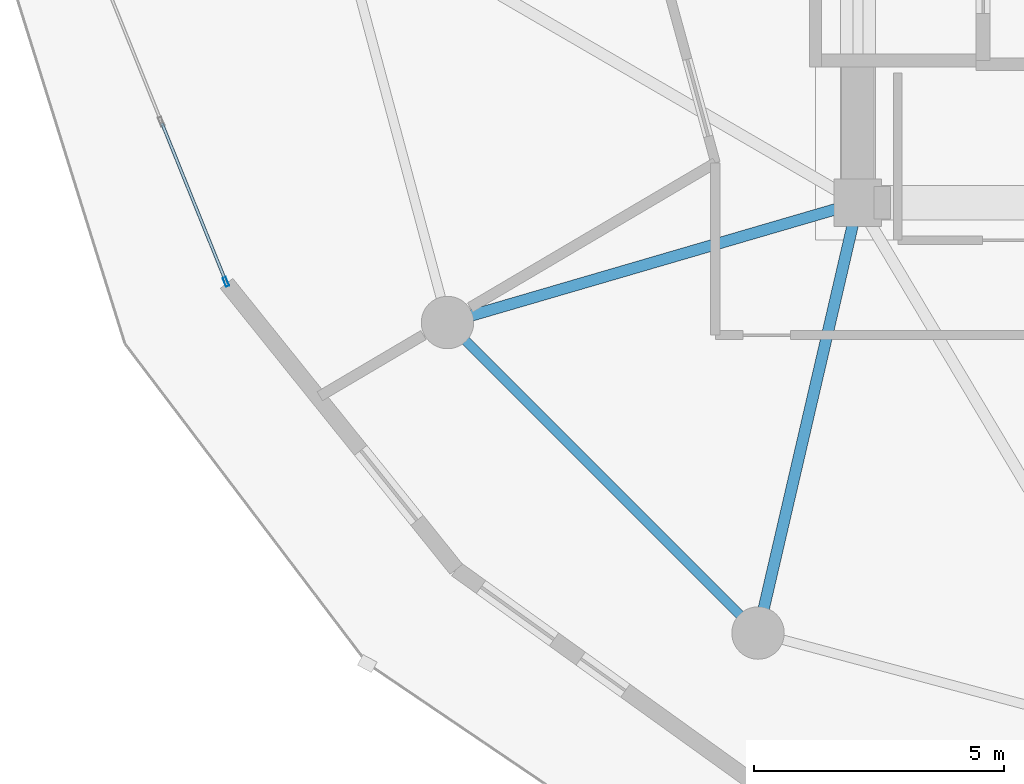
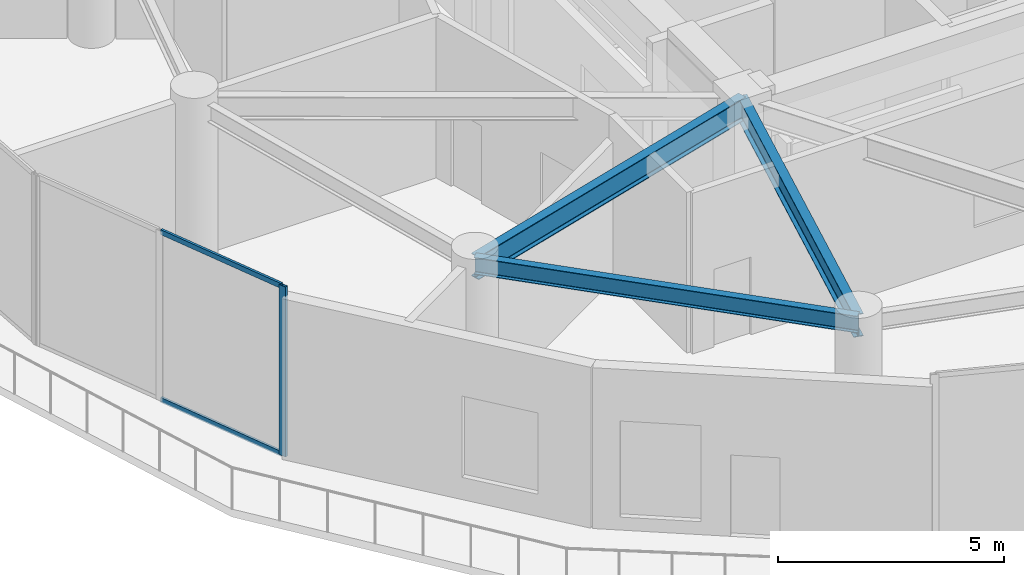
# One storey, part 3 of 28: 3 beams, 3 members, 1 element without a shape of its own.
"""IFC4 building model written with IfcOpenShell, lengths in metres."""

import ifcopenshell
import ifcopenshell.guid

model = None  # the IFC model being written
_history = None  # IfcOwnerHistory: only IFC2X3 demands one
_inside = {}  # id of a spatial element -> (the spatial element, [elements in it])
_under = {}  # id of a project, library or spatial element -> (it, [spatial elements below it])
_declared = {}  # id of a project -> (the project, [libraries it declares])
_typed = {}  # id of a type object -> (the type object, [elements of that type])
_made_of = {}  # id of a material, layer set ... -> (it, [elements and type objects made of it])


def new_model(schema):
    """Start an empty IFC model of exactly this schema.

    Asked for "IFC4X3", IfcOpenShell would pick the latest addendum, in which some entities
    have other attributes; the version numbers below select the first issue.
    IFC2X3 requires an IfcOwnerHistory on every rooted entity: one is made here for all.
    """
    global model, _history
    if schema == "IFC4X3":
        model = ifcopenshell.file(schema_version=(4, 3, 0, 0))
    else:
        model = ifcopenshell.file(schema=schema)
    _inside.clear()
    _under.clear()
    _declared.clear()
    _typed.clear()
    _made_of.clear()
    _history = None
    if model.schema == "IFC2X3":
        org = make("IfcOrganization", Name="unknown")
        user = make(
            "IfcPersonAndOrganization",
            ThePerson=make("IfcPerson", FamilyName="unknown"),
            TheOrganization=org,
        )
        app = make(
            "IfcApplication",
            ApplicationDeveloper=org,
            Version="unknown",
            ApplicationFullName="unknown",
            ApplicationIdentifier="unknown",
        )
        _history = make(
            "IfcOwnerHistory",
            OwningUser=user,
            OwningApplication=app,
            ChangeAction="ADDED",
            CreationDate=0,
        )
    return model


def make(cls, **values):
    """One entity of the class cls with the attributes given. An attribute that is None is left unset."""
    return model.create_entity(
        cls, **{name: value for name, value in values.items() if value is not None}
    )


def rooted(cls, **values):
    """An entity with a GlobalId (a new one), such as an element, a storey or a relation."""
    return make(cls, GlobalId=ifcopenshell.guid.new(), OwnerHistory=_history, **values)


def si_unit(unit_type, name, prefix=None):
    """IfcSIUnit, for example si_unit("LENGTHUNIT", "METRE", prefix="MILLI")."""
    return make("IfcSIUnit", UnitType=unit_type, Prefix=prefix, Name=name)


def assignment(units):
    """IfcUnitAssignment: the units of a project."""
    return None if units is None else make("IfcUnitAssignment", Units=units)


def point(xyz):
    """IfcCartesianPoint."""
    return None if xyz is None else make("IfcCartesianPoint", Coordinates=xyz)


def direction(xyz):
    """IfcDirection."""
    return None if xyz is None else make("IfcDirection", DirectionRatios=xyz)


def frame(location, z_axis=None, x_axis=None):
    """IfcAxis2Placement3D, a coordinate frame: its origin and axes. An axis left out is left unset."""
    return make(
        "IfcAxis2Placement3D",
        Location=point(location),
        Axis=direction(z_axis),
        RefDirection=direction(x_axis),
    )


def frame_2d(location, x_axis=None):
    """IfcAxis2Placement2D, a coordinate frame in the plane: its origin and x axis."""
    return make(
        "IfcAxis2Placement2D", Location=point(location), RefDirection=direction(x_axis)
    )


def origin():
    """The frame at (0, 0, 0) with its axes left unset."""
    return frame((0.0, 0.0, 0.0))


def origin_2d():
    """The frame at (0, 0) in the plane with its x axis left unset."""
    return frame_2d((0.0, 0.0))


def place(relative_to, where):
    """IfcLocalPlacement: puts the frame where relative to a parent placement (None: the world)."""
    return make(
        "IfcLocalPlacement", PlacementRelTo=relative_to, RelativePlacement=where
    )


def context(
    kind, dimensions, precision=None, world=None, true_north=None, identifier=None
):
    """IfcGeometricRepresentationContext, for example the 3D "Model" context."""
    return make(
        "IfcGeometricRepresentationContext",
        ContextIdentifier=identifier,
        ContextType=kind,
        CoordinateSpaceDimension=dimensions,
        Precision=precision,
        WorldCoordinateSystem=world,
        TrueNorth=true_north,
    )


def subcontext(parent, identifier, kind, view, scale=None):
    """IfcGeometricRepresentationSubContext, for example "Body" below "Model"."""
    return make(
        "IfcGeometricRepresentationSubContext",
        ContextIdentifier=identifier,
        ContextType=kind,
        ParentContext=parent,
        TargetScale=scale,
        TargetView=view,
    )


def project(units=None, contexts=None):
    """IfcProject with its units and contexts."""
    return rooted(
        "IfcProject",
        Name="project",
        RepresentationContexts=contexts,
        UnitsInContext=assignment(units),
    )


def spatial(cls, under=None, at=None, **own):
    """A site, building, storey or space (cls), placed at a placement, below another one or the project."""
    s = rooted(cls, ObjectPlacement=at, **own)
    if under is not None:
        _under.setdefault(under.id(), (under, []))[1].append(s)
    return s


def profile(cls, at=None, kind="AREA", **sizes):
    """A parametric profile (cls). Its sizes go by their IFC names, for example OverallWidth=200.0."""
    return make(cls, ProfileType=kind, Position=at, **sizes)


def hollow_rectangle(**sizes):
    """IfcRectangleHollowProfileDef."""
    return profile("IfcRectangleHollowProfileDef", **sizes)


def i_section(**sizes):
    """IfcIShapeProfileDef."""
    return profile("IfcIShapeProfileDef", **sizes)


def extrude(swept, where, along, depth):
    """IfcExtrudedAreaSolid: the profile swept, set in the frame where, extruded along a direction by depth."""
    return make(
        "IfcExtrudedAreaSolid",
        SweptArea=swept,
        Position=where,
        ExtrudedDirection=direction(along),
        Depth=depth,
    )


def shape(context_of_items, identifier, shape_type, items):
    """IfcShapeRepresentation: the items that make up one representation, for example the "Body"."""
    return make(
        "IfcShapeRepresentation",
        ContextOfItems=context_of_items,
        RepresentationIdentifier=identifier,
        RepresentationType=shape_type,
        Items=items,
    )


def source(mapping_origin, context_of_items, identifier, shape_type, items):
    """IfcRepresentationMap: a shape defined once, which mapped items show again and again."""
    return make(
        "IfcRepresentationMap",
        MappingOrigin=mapping_origin,
        MappedRepresentation=shape(context_of_items, identifier, shape_type, items),
    )


def transform(
    local_origin,
    x_axis=None,
    y_axis=None,
    z_axis=None,
    scale=None,
    scale2=None,
    scale3=None,
    uniform=True,
):
    """IfcCartesianTransformationOperator3D, or its non-uniform kind. x_axis, y_axis, z_axis: its Axis1, 2, 3."""
    if uniform:
        return make(
            "IfcCartesianTransformationOperator3D",
            Axis1=direction(x_axis),
            Axis2=direction(y_axis),
            LocalOrigin=point(local_origin),
            Scale=scale,
            Axis3=direction(z_axis),
        )
    return make(
        "IfcCartesianTransformationOperator3DnonUniform",
        Axis1=direction(x_axis),
        Axis2=direction(y_axis),
        LocalOrigin=point(local_origin),
        Scale=scale,
        Axis3=direction(z_axis),
        Scale2=scale2,
        Scale3=scale3,
    )


def mapped(mapping_source, mapping_target):
    """IfcMappedItem: shows the shape of a source again, moved by a transform."""
    return make(
        "IfcMappedItem", MappingSource=mapping_source, MappingTarget=mapping_target
    )


def material(Name=None, Category=None):
    """IfcMaterial."""
    return make("IfcMaterial", Name=Name, Category=Category)


def layer(
    of_material, thickness, ventilated=None, Name=None, Category=None, Priority=None
):
    """IfcMaterialLayer: one layer of a wall or slab, of a material (None: an air gap)."""
    return make(
        "IfcMaterialLayer",
        Material=of_material,
        LayerThickness=thickness,
        IsVentilated=ventilated,
        Name=Name,
        Category=Category,
        Priority=Priority,
    )


def layer_set(layers, Name=None):
    """IfcMaterialLayerSet."""
    return make("IfcMaterialLayerSet", MaterialLayers=layers, LayerSetName=Name)


def material_profile(
    of_material, cross_section, Name=None, Category=None, Priority=None
):
    """IfcMaterialProfile: a cross section and its material."""
    return make(
        "IfcMaterialProfile",
        Name=Name,
        Material=of_material,
        Profile=cross_section,
        Priority=Priority,
        Category=Category,
    )


def profile_set(profiles, Name=None, composite=None):
    """IfcMaterialProfileSet."""
    return make(
        "IfcMaterialProfileSet",
        Name=Name,
        MaterialProfiles=profiles,
        CompositeProfile=composite,
    )


def made_of(thing, what):
    """Note that an element or type object is made of a material, layer set ...; save() writes the relation."""
    if what is not None:
        _made_of.setdefault(what.id(), (what, []))[1].append(thing)
    return thing


def type_object(cls, material=None, **own):
    """A type object (cls), such as IfcWallType, which elements share."""
    return made_of(rooted(cls, **own), material)


def element(
    cls,
    number,
    at=None,
    inside=None,
    cuts=None,
    type_object=None,
    material=None,
    context=None,
    identifier="Body",
    shape_type=None,
    held_by="IfcProductDefinitionShape",
    body=None,
    shapes=None,
    **own,
):
    """One element of the class cls, such as IfcWall. Its Tag is "e" and its number.

    at: its placement. inside: the storey or other place that contains it. cuts: it is an
    opening in that element (IfcRelVoidsElement). A single representation is given by context,
    identifier, shape_type and body (its items); several are given by shapes. held_by: the class
    of the entity that holds the representations. save() writes the other relations.
    """
    e = rooted(cls, Tag="e%d" % number, ObjectPlacement=at, **own)
    if body is not None:
        shapes = [shape(context, identifier, shape_type, body)]
    if shapes is not None:
        e.Representation = make(held_by, Representations=shapes)
    if inside is not None:
        _inside.setdefault(inside.id(), (inside, []))[1].append(e)
    if cuts is not None:
        rooted(
            "IfcRelVoidsElement", RelatingBuildingElement=cuts, RelatedOpeningElement=e
        )
    if type_object is not None:
        _typed.setdefault(type_object.id(), (type_object, []))[1].append(e)
    return made_of(e, material)


def aggregate(whole, parts):
    """IfcRelAggregates: a whole, such as a stair, and the parts it consists of."""
    return rooted("IfcRelAggregates", RelatingObject=whole, RelatedObjects=parts)


def save(model, path):
    """Write the relations noted so far, then the file.

    IfcRelAggregates (storeys below a building ...), IfcRelContainedInSpatialStructure (elements
    in a storey), IfcRelDefinesByType, IfcRelAssociatesMaterial and IfcRelDeclares: one each for
    every whole, place, type object, material and project.
    """
    for whole, parts in _under.values():
        aggregate(whole, parts)
    for where, things in _inside.values():
        rooted(
            "IfcRelContainedInSpatialStructure",
            RelatedElements=things,
            RelatingStructure=where,
        )
    for kind, things in _typed.values():
        rooted("IfcRelDefinesByType", RelatedObjects=things, RelatingType=kind)
    for what, things in _made_of.values():
        rooted("IfcRelAssociatesMaterial", RelatedObjects=things, RelatingMaterial=what)
    for by, libraries in _declared.values():
        rooted("IfcRelDeclares", RelatingContext=by, RelatedDefinitions=libraries)
    model.write(path)


model = new_model("IFC4")

# Units and contexts
model_context = context("Model", 3, precision=1e-05, world=origin(), true_north=direction((0.0, 1.0)))
body_context = subcontext(model_context, "Body", "Model", "MODEL_VIEW")
ifc_project = project(units=[si_unit("LENGTHUNIT", "METRE"), si_unit("AREAUNIT", "SQUARE_METRE"), si_unit("VOLUMEUNIT", "CUBIC_METRE"), si_unit("PLANEANGLEUNIT", "RADIAN"), si_unit("MASSUNIT", "GRAM", prefix="KILO")], contexts=[model_context])

# Site, building, storey
site_placement = place(None, origin())
site = spatial("IfcSite", under=ifc_project, at=site_placement, CompositionType="ELEMENT")
building_placement = place(site_placement, origin())
building = spatial("IfcBuilding", under=site, at=building_placement, Name="Solvirekh Grand Hotel", CompositionType="ELEMENT")
storey_placement = place(building_placement, frame((0.0, 0.0, 98.0)))
storey = spatial("IfcBuildingStorey", under=building, at=storey_placement, Name="L24", CompositionType="ELEMENT", Elevation=98.0)

# Beams
ifc_material_1 = material(Name="Steel S355", Category="steel")
ifc_material_profile_1 = material_profile(ifc_material_1, i_section(OverallWidth=0.22802734375, OverallDepth=0.616943359375, WebThickness=0.012939453125, FlangeThickness=0.02001953125, FilletRadius=0.014892578125, at=origin_2d()), Name="W610X140")
ifc_profile_set_1 = profile_set([ifc_material_profile_1], Name="Steel S355")
beam_type_1 = type_object("IfcBeamType", Name="Beam_Radial_W610", PredefinedType="BEAM", material=ifc_profile_set_1)
beam_1_placement = place(storey_placement, frame((-6.5, -6.10009765625, 4.041015625), z_axis=(-0.959942195467, -0.28019811092, 0.0), x_axis=(0.28019811092, -0.959942195467, 0.0)))
element("IfcBeam", 1, at=beam_1_placement, inside=storey, type_object=beam_type_1, Name="L24 radial floor beam R08", PredefinedType="BEAM", context=body_context, shape_type="SweptSolid", body=[
    extrude(i_section(OverallWidth=0.22802734375, OverallDepth=0.616943359375, WebThickness=0.012939453125, FlangeThickness=0.02001953125, FilletRadius=0.014892578125, at=origin_2d()), origin(), (0.0, 0.0, 1.0), 8.56494140625),
])
beam_2_placement = place(storey_placement, frame((-6.5, -6.10009765625, 4.041015625), z_axis=(-0.225969390542, -0.974134402707, 0.0), x_axis=(0.974134402707, -0.225969390542, 0.0)))
element("IfcBeam", 2, at=beam_2_placement, inside=storey, type_object=beam_type_1, Name="L24 radial floor beam R09", PredefinedType="BEAM", context=body_context, shape_type="SweptSolid", body=[
    extrude(i_section(OverallWidth=0.22802734375, OverallDepth=0.616943359375, WebThickness=0.012939453125, FlangeThickness=0.02001953125, FilletRadius=0.014892578125, at=origin_2d()), origin(), (0.0, 0.0, 1.0), 8.850830078125),
])
ifc_material_profile_2 = material_profile(ifc_material_1, i_section(OverallWidth=0.18994140625, OverallDepth=0.45703125, WebThickness=0.009033203125, FlangeThickness=0.013916015625, FilletRadius=0.012939453125, at=origin_2d()), Name="W460X74")
ifc_profile_set_2 = profile_set([ifc_material_profile_2], Name="Steel S355")
beam_type_2 = type_object("IfcBeamType", Name="Spandrel_Ring_W460", PredefinedType="SPANDREL", material=ifc_profile_set_2)
beam_3_placement = place(storey_placement, frame((-14.721923828125, -8.5, 4.12109375), z_axis=(0.707106781187, -0.707106781187, 0.0), x_axis=(0.707106781187, 0.707106781187, 0.0)))
element("IfcBeam", 3, at=beam_3_placement, inside=storey, type_object=beam_type_2, Name="L24 perimeter spandrel beam 8", PredefinedType="SPANDREL", context=body_context, shape_type="SweptSolid", body=[
    extrude(i_section(OverallWidth=0.18994140625, OverallDepth=0.45703125, WebThickness=0.009033203125, FlangeThickness=0.013916015625, FilletRadius=0.012939453125, at=origin_2d()), origin(), (0.0, 0.0, 1.0), 8.799072265625),
])

# Curtain wall, members
ifc_material_2 = material(Name="Anodized Bronze Aluminium 6063-T6", Category="aluminium")
ifc_layer = layer(ifc_material_2, 0.18994140625)
ifc_layer_set = layer_set([ifc_layer], Name="Anodized Bronze Aluminium 6063-T6")
curtain_wall_type = type_object("IfcCurtainWallType", Name="CW_Sys5_SkyLobbyPanoramaCW", PredefinedType="NOTDEFINED", material=ifc_layer_set)
curtain_wall_placement = place(storey_placement, origin())
curtain_wall = element("IfcCurtainWall", 4, at=curtain_wall_placement, inside=storey, type_object=curtain_wall_type, Name="L24 unitised bronze-glass curtain wall CW-L24-C13", PredefinedType="NOTDEFINED")
ifc_material_profile_3 = material_profile(ifc_material_2, hollow_rectangle(XDim=0.070068359375, YDim=0.18994140625, WallThickness=0.0048828125, at=origin_2d()), Name="ALU RHS 190X70X5")
ifc_profile_set_3 = profile_set([ifc_material_profile_3], Name="Anodized Bronze Aluminium 6063-T6")
member_type_1 = type_object("IfcMemberType", Name="CWMullion_Sys5", PredefinedType="MULLION", material=ifc_profile_set_3)
shared_shape_1 = source(origin(), body_context, "Body", "SweptSolid", [
    extrude(hollow_rectangle(XDim=0.070068359375, YDim=0.18994140625, WallThickness=0.0048828125, at=origin_2d()), origin(), (0.0, 0.0, 1.0), 4.60009765625),
])
member_1_placement = place(storey_placement, frame((-19.1611328125, -7.6845703125, 0.0), z_axis=(0.0, 0.0, 1.0), x_axis=(0.927327786327, 0.374250152579, 0.0)))
member_1 = element("IfcMember", 5, at=member_1_placement, type_object=member_type_1, Name="U05 mullion 3", PredefinedType="MULLION", context=body_context, shape_type="MappedRepresentation", body=[
    mapped(shared_shape_1, transform((0.0, 0.0, 0.0), x_axis=(1.0, 0.0, 0.0), y_axis=(0.0, 1.0, 0.0), z_axis=(0.0, 0.0, 1.0), scale=1.0)),
])
ifc_material_profile_4 = material_profile(ifc_material_2, hollow_rectangle(XDim=0.06005859375, YDim=0.135009765625, WallThickness=0.00390625, at=origin_2d()), Name="ALU RHS 135X60X4")
ifc_profile_set_4 = profile_set([ifc_material_profile_4], Name="Anodized Bronze Aluminium 6063-T6")
member_type_2 = type_object("IfcMemberType", Name="CWTransom_Sys5", PredefinedType="USERDEFINED", material=ifc_profile_set_4)
shared_shape_2 = source(origin(), body_context, "Body", "SweptSolid", [
    extrude(hollow_rectangle(XDim=0.06005859375, YDim=0.135009765625, WallThickness=0.00390625, at=origin_2d()), origin(), (0.0, 0.0, 1.0), 3.389892578125),
])
member_2_placement = place(storey_placement, frame((-20.44287109375, -4.508544921875, 0.030029296875), z_axis=(0.374220112515, -0.927339909305, 0.0), x_axis=(0.927339909305, 0.374220112515, 0.0)))
member_2 = element("IfcMember", 6, at=member_2_placement, type_object=member_type_2, Name="U05 transom 2.1", ObjectType="TRANSOM", PredefinedType="USERDEFINED", context=body_context, shape_type="MappedRepresentation", body=[
    mapped(shared_shape_2, transform((0.0, 0.0, 0.0), x_axis=(1.0, 0.0, 0.0), y_axis=(0.0, 1.0, 0.0), z_axis=(0.0, 0.0, 1.0), scale=1.0)),
])
member_3_placement = place(storey_placement, frame((-20.44287109375, -4.508544921875, 4.570068359375), z_axis=(0.374220112515, -0.927339909305, 0.0), x_axis=(0.927339909305, 0.374220112515, 0.0)))
member_3 = element("IfcMember", 7, at=member_3_placement, type_object=member_type_2, Name="U05 transom 2.2", ObjectType="TRANSOM", PredefinedType="USERDEFINED", context=body_context, shape_type="MappedRepresentation", body=[
    mapped(shared_shape_2, transform((0.0, 0.0, 0.0), x_axis=(1.0, 0.0, 0.0), y_axis=(0.0, 1.0, 0.0), z_axis=(0.0, 0.0, 1.0), scale=1.0)),
])
aggregate(curtain_wall, [member_1, member_2, member_3])

save(model, "model.ifc")
